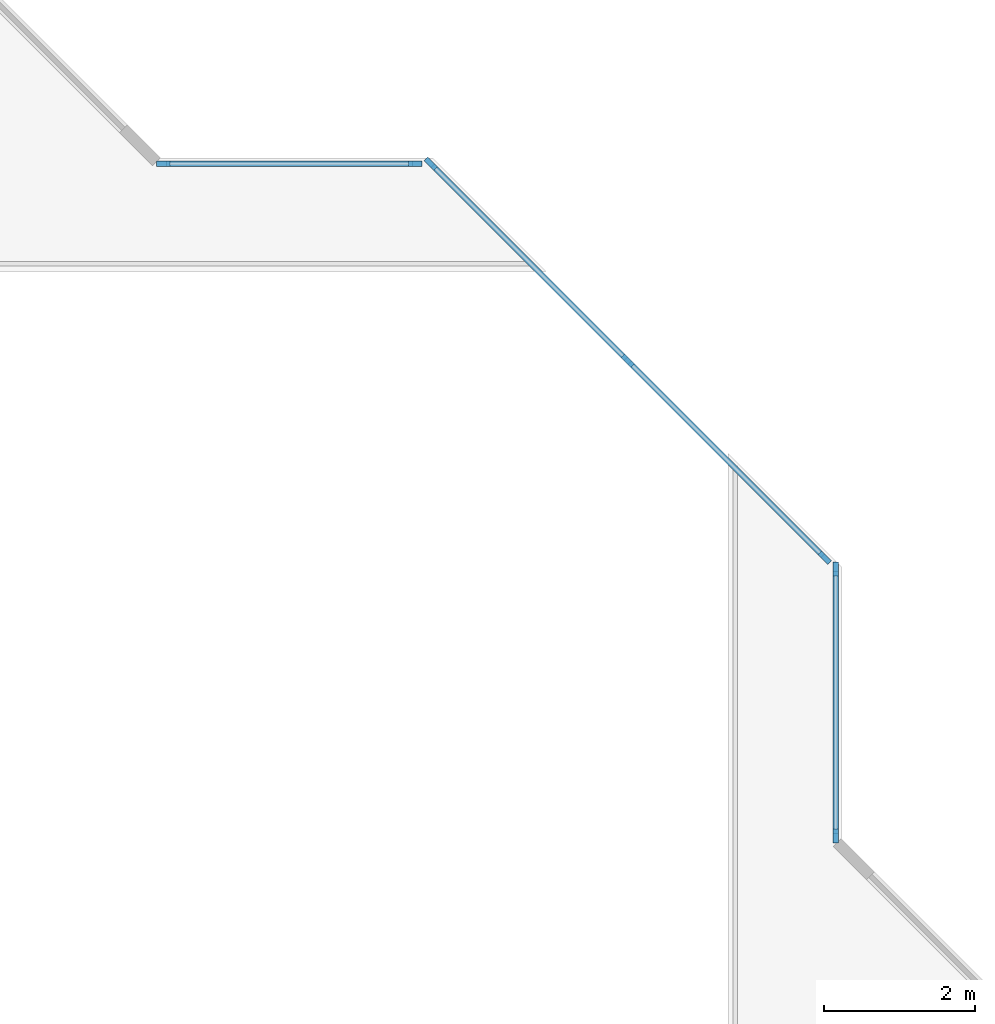
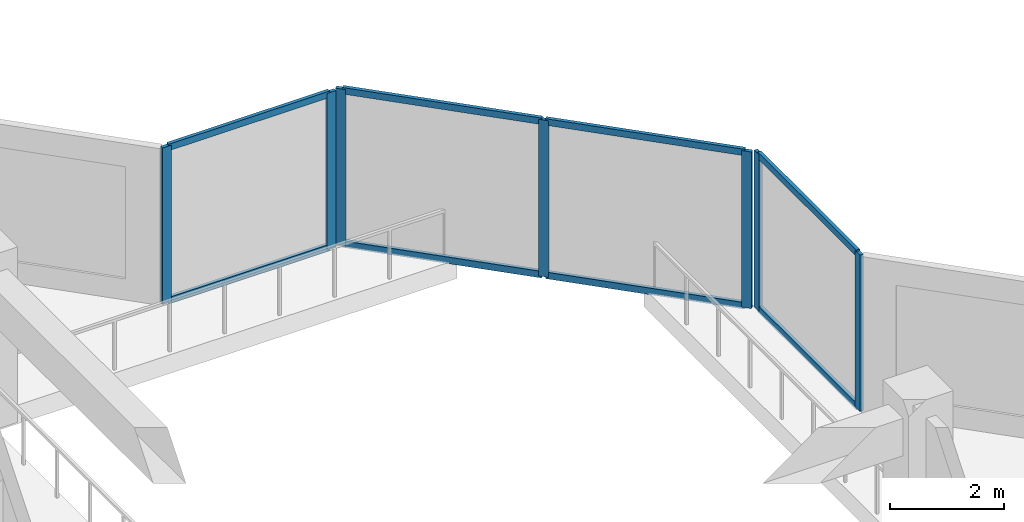
# One storey, part 2 of 15: 15 members, 3 elements without a shape of their own.
"""IFC4 building model written with IfcOpenShell, lengths in metres."""

from ifc_helpers import new_model, si_unit, direction, frame, origin, origin_2d, place, context, subcontext, project, spatial, rectangle, extrude, material, layer, layer_set, material_profile, profile_set, type_object, element, aggregate, save


model = new_model("IFC4")

# Units and contexts
model_context = context("Model", 3, precision=1e-05, world=origin(), true_north=direction((0.0, 1.0)))
body_context = subcontext(model_context, "Body", "Model", "MODEL_VIEW")
ifc_project = project(units=[si_unit("LENGTHUNIT", "METRE"), si_unit("AREAUNIT", "SQUARE_METRE"), si_unit("VOLUMEUNIT", "CUBIC_METRE"), si_unit("PLANEANGLEUNIT", "RADIAN"), si_unit("MASSUNIT", "GRAM", prefix="KILO")], contexts=[model_context])

# Site, building, storey
site_placement = place(None, origin())
site = spatial("IfcSite", under=ifc_project, at=site_placement, CompositionType="ELEMENT")
building_placement = place(site_placement, origin())
building = spatial("IfcBuilding", under=site, at=building_placement, Name="Chenar Terraces", CompositionType="ELEMENT")
storey_placement = place(building_placement, frame((0.0, 0.0, 191.14990234375)))
storey = spatial("IfcBuildingStorey", under=building, at=storey_placement, Name="L44", CompositionType="ELEMENT", Elevation=191.14990234375)

# Curtain wall, members
ifc_material_1 = material(Name="Aluminium framed glazing", Category="aluminium")
ifc_layer = layer(ifc_material_1, 0.14990234375)
ifc_layer_set = layer_set([ifc_layer], Name="Aluminium framed glazing")
curtain_wall_type = type_object("IfcCurtainWallType", Name="Atrium mid-zone curtain wall", PredefinedType="NOTDEFINED", material=ifc_layer_set)
placement = place(storey_placement, origin())
curtain_wall_1 = element("IfcCurtainWall", 1, at=placement, inside=storey, type_object=curtain_wall_type, Name="Atrium mid-zone curtain wall", PredefinedType="NOTDEFINED")
ifc_material_2 = material(Name="Aluminium", Category="aluminium")
ifc_material_profile_1 = material_profile(ifc_material_2, rectangle(XDim=0.070068359375, YDim=0.179931640625, at=origin_2d()), Name="Atrium mid-zone glazing mullion 70 x 180")
ifc_profile_set_1 = profile_set([ifc_material_profile_1], Name="Aluminium")
member_type_1 = type_object("IfcMemberType", Name="Atrium mid-zone glazing mullion 70 x 180", PredefinedType="MULLION", material=ifc_profile_set_1)
member_1_placement = place(storey_placement, frame((37.425048828125, 28.534912109375, 0.0), z_axis=(0.0, 0.0, 1.0), x_axis=(-1.0, 0.0, 0.0)))
member_1 = element("IfcMember", 2, at=member_1_placement, type_object=member_type_1, Name="CW7-1 mullion 1", PredefinedType="MULLION", context=body_context, shape_type="SweptSolid", body=[
    extrude(rectangle(XDim=0.070068359375, YDim=0.179931640625, at=origin_2d()), origin(), (0.0, 0.0, 1.0), 3.35009765625),
])
member_2_placement = place(storey_placement, frame((37.425048828125, 32.06494140625, 0.0), z_axis=(0.0, 0.0, 1.0), x_axis=(-1.0, 0.0, 0.0)))
member_2 = element("IfcMember", 3, at=member_2_placement, type_object=member_type_1, Name="CW7-1 mullion 2", PredefinedType="MULLION", context=body_context, shape_type="SweptSolid", body=[
    extrude(rectangle(XDim=0.070068359375, YDim=0.179931640625, at=origin_2d()), origin(), (0.0, 0.0, 1.0), 3.35009765625),
])

curtain_wall_2 = element("IfcCurtainWall", 4, at=placement, inside=storey, type_object=curtain_wall_type, Name="Atrium mid-zone curtain wall", PredefinedType="NOTDEFINED")
member_3_placement = place(storey_placement, frame((37.28076171875, 32.213134765625, 0.0), z_axis=(0.0, 0.0, 1.0), x_axis=(-0.707106781187, -0.707106781187, 0.0)))
member_3 = element("IfcMember", 5, at=member_3_placement, type_object=member_type_1, Name="CW7-2 mullion 1", PredefinedType="MULLION", context=body_context, shape_type="SweptSolid", body=[
    extrude(rectangle(XDim=0.070068359375, YDim=0.179931640625, at=origin_2d()), origin(), (0.0, 0.0, 1.0), 3.35009765625),
])
member_4_placement = place(storey_placement, frame((34.67626953125, 34.817626953125, 0.0), z_axis=(0.0, 0.0, 1.0), x_axis=(-0.707106781187, -0.707106781187, 0.0)))
member_4 = element("IfcMember", 6, at=member_4_placement, type_object=member_type_1, Name="CW7-2 mullion 2", PredefinedType="MULLION", context=body_context, shape_type="SweptSolid", body=[
    extrude(rectangle(XDim=0.070068359375, YDim=0.179931640625, at=origin_2d()), origin(), (0.0, 0.0, 1.0), 3.35009765625),
])
member_5_placement = place(storey_placement, frame((32.07177734375, 37.42236328125, 0.0), z_axis=(0.0, 0.0, 1.0), x_axis=(-0.707106781187, -0.707106781187, 0.0)))
member_5 = element("IfcMember", 7, at=member_5_placement, type_object=member_type_1, Name="CW7-2 mullion 3", PredefinedType="MULLION", context=body_context, shape_type="SweptSolid", body=[
    extrude(rectangle(XDim=0.070068359375, YDim=0.179931640625, at=origin_2d()), origin(), (0.0, 0.0, 1.0), 3.35009765625),
])

curtain_wall_3 = element("IfcCurtainWall", 8, at=placement, inside=storey, type_object=curtain_wall_type, Name="Atrium mid-zone curtain wall", PredefinedType="NOTDEFINED")
member_6_placement = place(storey_placement, frame((31.864990234375, 37.425048828125, 0.0), z_axis=(0.0, 0.0, 1.0), x_axis=(0.0, -1.0, 0.0)))
member_6 = element("IfcMember", 9, at=member_6_placement, type_object=member_type_1, Name="CW7-3 mullion 1", PredefinedType="MULLION", context=body_context, shape_type="SweptSolid", body=[
    extrude(rectangle(XDim=0.070068359375, YDim=0.179931640625, at=origin_2d()), origin(), (0.0, 0.0, 1.0), 3.35009765625),
])
member_7_placement = place(storey_placement, frame((28.534912109375, 37.425048828125, 0.0), z_axis=(0.0, 0.0, 1.0), x_axis=(0.0, -1.0, 0.0)))
member_7 = element("IfcMember", 10, at=member_7_placement, type_object=member_type_1, Name="CW7-3 mullion 2", PredefinedType="MULLION", context=body_context, shape_type="SweptSolid", body=[
    extrude(rectangle(XDim=0.070068359375, YDim=0.179931640625, at=origin_2d()), origin(), (0.0, 0.0, 1.0), 3.35009765625),
])

# Member
ifc_material_3 = material(Name="Aluminium", Category="aluminium")
ifc_material_profile_2 = material_profile(ifc_material_3, rectangle(XDim=0.070068359375, YDim=0.139892578125, at=origin_2d()), Name="Atrium mid-zone glazing transom 70 x 140")
ifc_profile_set_2 = profile_set([ifc_material_profile_2], Name="Aluminium")
member_type_2 = type_object("IfcMemberType", Name="Atrium mid-zone glazing transom 70 x 140", PredefinedType="USERDEFINED", material=ifc_profile_set_2)
member_8_placement = place(storey_placement, frame((37.425048828125, 28.570068359375, 0.03515625), z_axis=(0.0, 1.0, 0.0), x_axis=(-1.0, 0.0, 0.0)))
member_8 = element("IfcMember", 11, at=member_8_placement, type_object=member_type_2, Name="CW7-1 transom 1.1", ObjectType="TRANSOM", PredefinedType="USERDEFINED", context=body_context, shape_type="SweptSolid", body=[
    extrude(rectangle(XDim=0.070068359375, YDim=0.139892578125, at=origin_2d()), origin(), (0.0, 0.0, 1.0), 3.4599609375),
])

member_9_placement = place(storey_placement, frame((37.425048828125, 28.570068359375, 3.315185546875), z_axis=(0.0, 1.0, 0.0), x_axis=(-1.0, 0.0, 0.0)))
member_9 = element("IfcMember", 12, at=member_9_placement, type_object=member_type_2, Name="CW7-1 transom 1.2", ObjectType="TRANSOM", PredefinedType="USERDEFINED", context=body_context, shape_type="SweptSolid", body=[
    extrude(rectangle(XDim=0.070068359375, YDim=0.139892578125, at=origin_2d()), origin(), (0.0, 0.0, 1.0), 3.4599609375),
])

aggregate(curtain_wall_1, [member_1, member_2, member_8, member_9])

member_10_placement = place(storey_placement, frame((37.256103515625, 32.23779296875, 0.03515625), z_axis=(-0.707106781187, 0.707106781187, 0.0), x_axis=(-0.707106781187, -0.707106781187, 0.0)))
member_10 = element("IfcMember", 13, at=member_10_placement, type_object=member_type_2, Name="CW7-2 transom 1.1", ObjectType="TRANSOM", PredefinedType="USERDEFINED", context=body_context, shape_type="SweptSolid", body=[
    extrude(rectangle(XDim=0.070068359375, YDim=0.139892578125, at=origin_2d()), origin(), (0.0, 0.0, 1.0), 3.613525390625),
])

member_11_placement = place(storey_placement, frame((37.256103515625, 32.23779296875, 3.315185546875), z_axis=(-0.707106781187, 0.707106781187, 0.0), x_axis=(-0.707106781187, -0.707106781187, 0.0)))
member_11 = element("IfcMember", 14, at=member_11_placement, type_object=member_type_2, Name="CW7-2 transom 1.2", ObjectType="TRANSOM", PredefinedType="USERDEFINED", context=body_context, shape_type="SweptSolid", body=[
    extrude(rectangle(XDim=0.070068359375, YDim=0.139892578125, at=origin_2d()), origin(), (0.0, 0.0, 1.0), 3.613525390625),
])

member_12_placement = place(storey_placement, frame((34.651611328125, 34.842529296875, 0.03515625), z_axis=(-0.707140563131, 0.707072997628, 0.0), x_axis=(-0.707072997628, -0.707140563131, 0.0)))
member_12 = element("IfcMember", 15, at=member_12_placement, type_object=member_type_2, Name="CW7-2 transom 2.1", ObjectType="TRANSOM", PredefinedType="USERDEFINED", context=body_context, shape_type="SweptSolid", body=[
    extrude(rectangle(XDim=0.070068359375, YDim=0.139892578125, at=origin_2d()), origin(), (0.0, 0.0, 1.0), 3.61328125),
])

member_13_placement = place(storey_placement, frame((34.651611328125, 34.842529296875, 3.315185546875), z_axis=(-0.707140563131, 0.707072997628, 0.0), x_axis=(-0.707072997628, -0.707140563131, 0.0)))
member_13 = element("IfcMember", 16, at=member_13_placement, type_object=member_type_2, Name="CW7-2 transom 2.2", ObjectType="TRANSOM", PredefinedType="USERDEFINED", context=body_context, shape_type="SweptSolid", body=[
    extrude(rectangle(XDim=0.070068359375, YDim=0.139892578125, at=origin_2d()), origin(), (0.0, 0.0, 1.0), 3.61328125),
])

aggregate(curtain_wall_2, [member_3, member_4, member_5, member_10, member_11, member_12, member_13])

member_14_placement = place(storey_placement, frame((31.830078125, 37.425048828125, 0.03515625), z_axis=(-1.0, 0.0, 0.0), x_axis=(0.0, -1.0, 0.0)))
member_14 = element("IfcMember", 17, at=member_14_placement, type_object=member_type_2, Name="CW7-3 transom 1.1", ObjectType="TRANSOM", PredefinedType="USERDEFINED", context=body_context, shape_type="SweptSolid", body=[
    extrude(rectangle(XDim=0.070068359375, YDim=0.139892578125, at=origin_2d()), origin(), (0.0, 0.0, 1.0), 3.260009765625),
])

member_15_placement = place(storey_placement, frame((31.830078125, 37.425048828125, 3.315185546875), z_axis=(-1.0, 0.0, 0.0), x_axis=(0.0, -1.0, 0.0)))
member_15 = element("IfcMember", 18, at=member_15_placement, type_object=member_type_2, Name="CW7-3 transom 1.2", ObjectType="TRANSOM", PredefinedType="USERDEFINED", context=body_context, shape_type="SweptSolid", body=[
    extrude(rectangle(XDim=0.070068359375, YDim=0.139892578125, at=origin_2d()), origin(), (0.0, 0.0, 1.0), 3.260009765625),
])

aggregate(curtain_wall_3, [member_6, member_7, member_14, member_15])

save(model, "model.ifc")
